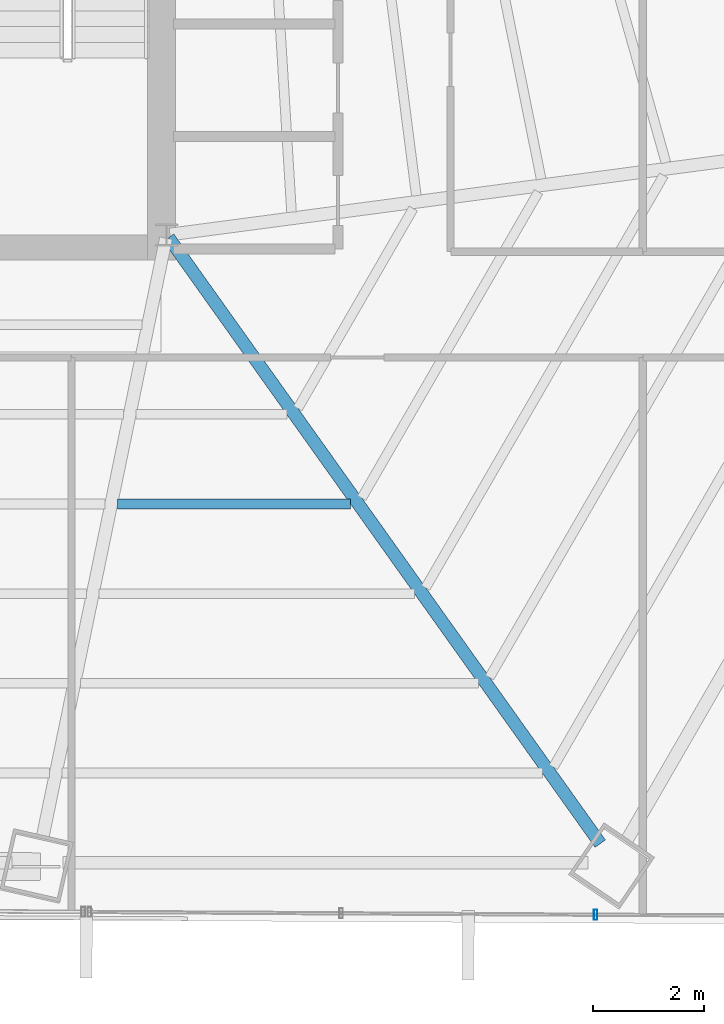
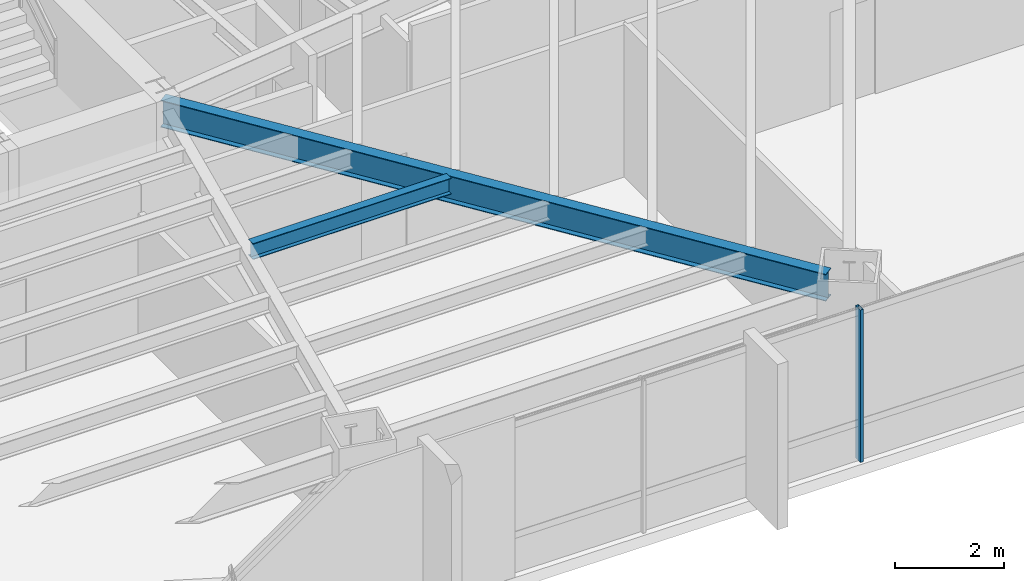
# One storey, part 16 of 35: 2 beams, 1 member, 1 element without a shape of its own.
"""IFC4 building model written with IfcOpenShell, lengths in metres."""

from ifc_helpers import new_model, si_unit, direction, frame, origin, origin_2d, place, context, subcontext, project, spatial, hollow_rectangle, i_section, extrude, source, transform, mapped, material, material_profile, profile_set, type_object, type_shapes, element, aggregate, save


model = new_model("IFC4")

# Units and contexts
model_context = context("Model", 3, precision=1e-05, world=origin(), true_north=direction((0.0, 1.0)))
body_context = subcontext(model_context, "Body", "Model", "MODEL_VIEW")
ifc_project = project(units=[si_unit("LENGTHUNIT", "METRE"), si_unit("AREAUNIT", "SQUARE_METRE"), si_unit("VOLUMEUNIT", "CUBIC_METRE"), si_unit("PLANEANGLEUNIT", "RADIAN"), si_unit("MASSUNIT", "GRAM", prefix="KILO")], contexts=[model_context])

# Site, building, storey
site_placement = place(None, origin())
site = spatial("IfcSite", under=ifc_project, at=site_placement, CompositionType="ELEMENT")
building_placement = place(site_placement, origin())
building = spatial("IfcBuilding", under=site, at=building_placement, Name="Caelisora Broadcast Tower", CompositionType="ELEMENT")
storey_placement = place(building_placement, frame((0.0, 0.0, 90.800048828125)))
storey = spatial("IfcBuildingStorey", under=building, at=storey_placement, Name="L23", CompositionType="ELEMENT", Elevation=90.800048828125)

# Beams
ifc_material_1 = material(Name="Steel Grade 350 (AS/NZS 3679.1)", Category="steel")
ifc_material_profile_1 = material_profile(ifc_material_1, i_section(OverallWidth=0.22802734375, OverallDepth=0.602294921875, WebThickness=0.010498046875, FlangeThickness=0.014892578125, at=origin_2d()), Name="Steel Grade 350 (AS/NZS 3679.1)")
ifc_profile_set_1 = profile_set([ifc_material_profile_1], Name="Steel Grade 350 (AS/NZS 3679.1)")
beam_type_1 = type_object("IfcBeamType", Name="PG04", PredefinedType="BEAM", material=ifc_profile_set_1)
shared_shape_1 = source(origin(), body_context, "Body", "SweptSolid", [
    extrude(i_section(OverallWidth=0.22802734375, OverallDepth=0.602294921875, WebThickness=0.010498046875, FlangeThickness=0.014892578125, at=origin_2d()), origin(), (0.0, 0.0, 1.0), 13.3642578125),
])
type_shapes(beam_type_1, [shared_shape_1])
beam_1_placement = place(storey_placement, frame((45.534912109375, 17.35107421875, 3.098876953125), z_axis=(0.580212991409, -0.814464784137, 0.0), x_axis=(0.814464784137, 0.580212991409, 0.0)))
element("IfcBeam", 1, at=beam_1_placement, inside=storey, type_object=beam_type_1, Name="L23 beam PG04", PredefinedType="BEAM", context=body_context, shape_type="MappedRepresentation", body=[
    mapped(shared_shape_1, transform((0.0, 0.0, 0.0), scale=1.0)),
])
ifc_material_profile_2 = material_profile(ifc_material_1, i_section(OverallWidth=0.172119140625, OverallDepth=0.358642578125, WebThickness=0.008056640625, FlangeThickness=0.012939453125, at=origin_2d()), Name="Steel Grade 350 (AS/NZS 3679.1)")
ifc_profile_set_2 = profile_set([ifc_material_profile_2], Name="Steel Grade 350 (AS/NZS 3679.1)")
beam_type_2 = type_object("IfcBeamType", Name="SB02", PredefinedType="JOIST", material=ifc_profile_set_2)
shared_shape_2 = source(origin(), body_context, "Body", "SweptSolid", [
    extrude(i_section(OverallWidth=0.172119140625, OverallDepth=0.358642578125, WebThickness=0.008056640625, FlangeThickness=0.012939453125, at=origin_2d()), origin(), (0.0, 0.0, 1.0), 4.1875),
])
type_shapes(beam_type_2, [shared_shape_2])
beam_2_placement = place(storey_placement, frame((44.6181640625, 12.5673828125, 3.220703125), z_axis=(1.0, 0.0, 0.0), x_axis=(0.0, 1.0, 0.0)))
element("IfcBeam", 2, at=beam_2_placement, inside=storey, type_object=beam_type_2, Name="L23 beam SB02", PredefinedType="JOIST", context=body_context, shape_type="MappedRepresentation", body=[
    mapped(shared_shape_2, transform((0.0, 0.0, 0.0), scale=1.0)),
])

# Curtain wall, member
ifc_material_2 = material(Name="Unitised Aluminium and Low-E Glass Curtain Wall", Category="glass")
curtain_wall_type = type_object("IfcCurtainWallType", Name="CW-Z2", PredefinedType="NOTDEFINED", material=ifc_material_2)
curtain_wall_placement = place(storey_placement, origin())
curtain_wall = element("IfcCurtainWall", 3, at=curtain_wall_placement, inside=storey, type_object=curtain_wall_type, Name="L23 curtain wall CW-Z2", PredefinedType="NOTDEFINED")
ifc_material_3 = material(Name="Aluminium 6063-T6 Anodised Terracotta Bronze", Category="aluminium")
ifc_material_profile_3 = material_profile(ifc_material_3, hollow_rectangle(XDim=0.06494140625, YDim=0.179931640625, WallThickness=0.00341796875, at=origin_2d()), Name="Aluminium 6063-T6 Anodised Terracotta Bronze")
ifc_profile_set_3 = profile_set([ifc_material_profile_3], Name="Aluminium 6063-T6 Anodised Terracotta Bronze")
member_type = type_object("IfcMemberType", Name="CWM-02", PredefinedType="MULLION", material=ifc_profile_set_3)
shared_shape_3 = source(origin(), body_context, "Body", "SweptSolid", [
    extrude(hollow_rectangle(XDim=0.06494140625, YDim=0.179931640625, WallThickness=0.00341796875, at=origin_2d()), origin(), (0.0, 0.0, 1.0), 3.39990234375),
])
type_shapes(member_type, [shared_shape_3])
member_placement = place(storey_placement, frame((53.205810546875, 5.189453125, 0.0), z_axis=(0.0, 0.0, 1.0), x_axis=(1.0, 0.0, 0.0)))
member = element("IfcMember", 4, at=member_placement, type_object=member_type, Name="L23-CW-B05 mullion #1", PredefinedType="MULLION", context=body_context, shape_type="MappedRepresentation", body=[
    mapped(shared_shape_3, transform((0.0, 0.0, 0.0), scale=1.0)),
])
aggregate(curtain_wall, [member])

save(model, "model.ifc")
